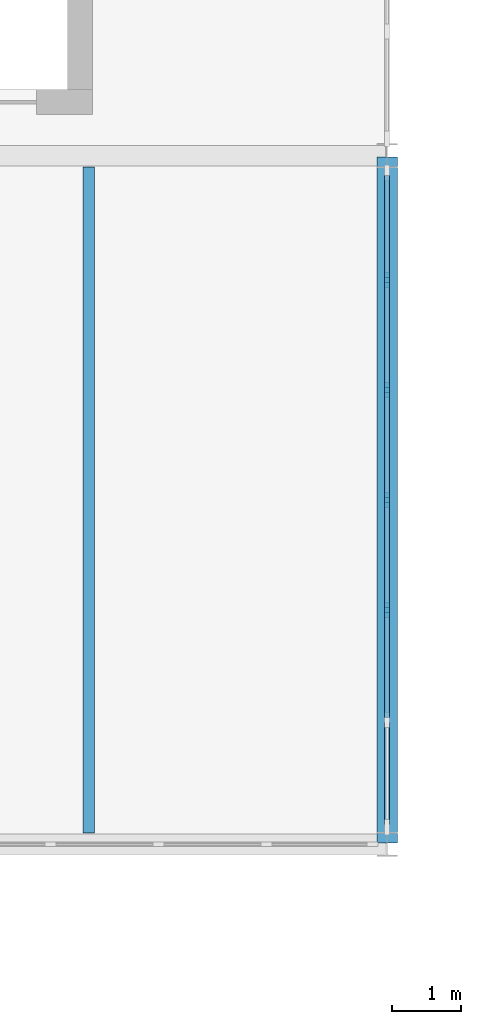
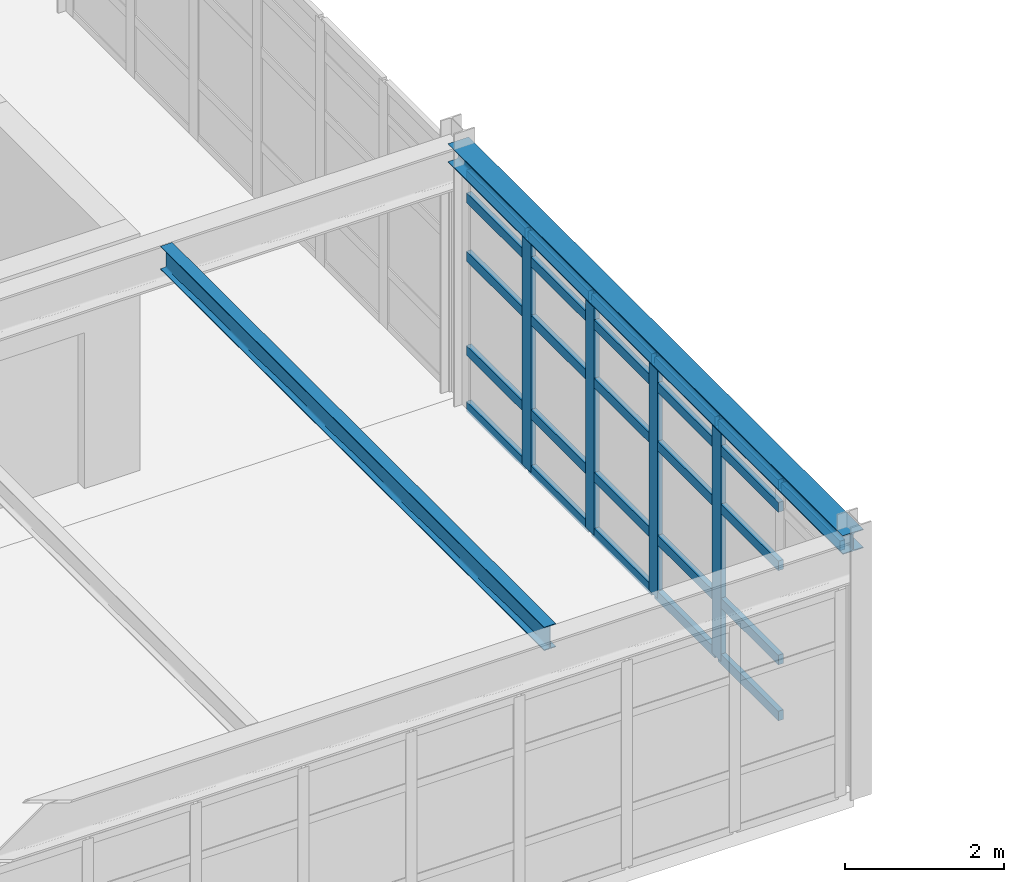
# One storey, part 39 of 122: 30 members, 2 beams, 1 element without a shape of its own.
"""IFC4 building model written with IfcOpenShell, lengths in metres."""

from ifc_helpers import new_model, si_unit, direction, frame, origin, origin_2d, place, context, subcontext, project, spatial, rectangle, i_section, extrude, material, layer, layer_set, material_profile, profile_set, type_object, element, aggregate, save


model = new_model("IFC4")

# Units and contexts
model_context = context("Model", 3, precision=1e-05, world=origin(), true_north=direction((0.0, 1.0)))
body_context = subcontext(model_context, "Body", "Model", "MODEL_VIEW")
ifc_project = project(units=[si_unit("LENGTHUNIT", "METRE"), si_unit("AREAUNIT", "SQUARE_METRE"), si_unit("VOLUMEUNIT", "CUBIC_METRE"), si_unit("PLANEANGLEUNIT", "RADIAN"), si_unit("MASSUNIT", "GRAM", prefix="KILO"), si_unit("THERMODYNAMICTEMPERATUREUNIT", "KELVIN"), si_unit("POWERUNIT", "WATT")], contexts=[model_context])

# Site, building, storey
site_placement = place(None, origin())
site = spatial("IfcSite", under=ifc_project, at=site_placement, CompositionType="ELEMENT")
building_placement = place(site_placement, origin())
building = spatial("IfcBuilding", under=site, at=building_placement, Name="Korenveer Ferry Terminal", CompositionType="ELEMENT")
storey_placement = place(building_placement, frame((0.0, 0.0, 10.199951171875)))
storey = spatial("IfcBuildingStorey", under=building, at=storey_placement, Name="L02", CompositionType="ELEMENT", Elevation=10.199951171875)

# Curtain wall, members
ifc_material_1 = material(Name="Unitised bronze-and-glass curtain wall", Category="glass")
ifc_layer = layer(ifc_material_1, 0.219970703125)
ifc_layer_set = layer_set([ifc_layer], Name="Unitised bronze-and-glass curtain wall")
curtain_wall_type = type_object("IfcCurtainWallType", Name="ENV-CW-116", PredefinedType="USERDEFINED", material=ifc_layer_set)
curtain_wall_placement = place(storey_placement, frame((53.0, 79.7900390625, 0.0)))
curtain_wall = element("IfcCurtainWall", 1, at=curtain_wall_placement, inside=storey, type_object=curtain_wall_type, Name="Lancet curtain wall CWX-L02-X53-53-Y70-80", ObjectType="UNITISED CURTAIN WALL", PredefinedType="USERDEFINED")
ifc_material_2 = material(Name="Anodised bronze aluminium", Category="aluminium")
ifc_material_profile_1 = material_profile(ifc_material_2, rectangle(XDim=0.074951171875, YDim=0.219970703125, at=origin_2d()), Name="ALU 75x220")
ifc_profile_set_1 = profile_set([ifc_material_profile_1], Name="Anodised bronze aluminium")
member_type_1 = type_object("IfcMemberType", Name="ENV-CWM-75X220", PredefinedType="MULLION", material=ifc_profile_set_1)
member_1_placement = place(storey_placement, frame((53.0, 78.193359375, 0.0), z_axis=(0.0, 0.0, 1.0), x_axis=(1.0, 0.0, 0.0)))
member_1 = element("IfcMember", 2, at=member_1_placement, type_object=member_type_1, Name="CW-116 mullion 2", PredefinedType="MULLION", context=body_context, shape_type="SweptSolid", body=[
    extrude(rectangle(XDim=0.074951171875, YDim=0.219970703125, at=origin_2d()), origin(), (0.0, 0.0, 1.0), 3.64013671875),
])
member_2_placement = place(storey_placement, frame((53.0, 76.5966796875, 0.0), z_axis=(0.0, 0.0, 1.0), x_axis=(1.0, 0.0, 0.0)))
member_2 = element("IfcMember", 3, at=member_2_placement, type_object=member_type_1, Name="CW-116 mullion 3", PredefinedType="MULLION", context=body_context, shape_type="SweptSolid", body=[
    extrude(rectangle(XDim=0.074951171875, YDim=0.219970703125, at=origin_2d()), origin(), (0.0, 0.0, 1.0), 3.64013671875),
])
member_3_placement = place(storey_placement, frame((53.0, 75.0, 0.0), z_axis=(0.0, 0.0, 1.0), x_axis=(1.0, 0.0, 0.0)))
member_3 = element("IfcMember", 4, at=member_3_placement, type_object=member_type_1, Name="CW-116 mullion 4", PredefinedType="MULLION", context=body_context, shape_type="SweptSolid", body=[
    extrude(rectangle(XDim=0.074951171875, YDim=0.219970703125, at=origin_2d()), origin(), (0.0, 0.0, 1.0), 3.64013671875),
])
member_4_placement = place(storey_placement, frame((53.0, 73.4033203125, 0.0), z_axis=(0.0, 0.0, 1.0), x_axis=(1.0, 0.0, 0.0)))
member_4 = element("IfcMember", 5, at=member_4_placement, type_object=member_type_1, Name="CW-116 mullion 5", PredefinedType="MULLION", context=body_context, shape_type="SweptSolid", body=[
    extrude(rectangle(XDim=0.074951171875, YDim=0.219970703125, at=origin_2d()), origin(), (0.0, 0.0, 1.0), 3.64013671875),
])
ifc_material_profile_2 = material_profile(ifc_material_2, rectangle(XDim=0.074951171875, YDim=0.14990234375, at=origin_2d()), Name="ALU 75x150")
ifc_profile_set_2 = profile_set([ifc_material_profile_2], Name="Anodised bronze aluminium")
member_type_2 = type_object("IfcMemberType", Name="ENV-CWT-75X150", PredefinedType="USERDEFINED", material=ifc_profile_set_2)
member_5_placement = place(storey_placement, frame((53.0, 79.715087890625, 0.03759765625), z_axis=(0.0, -1.0, 0.0), x_axis=(1.0, 0.0, 0.0)))
member_5 = element("IfcMember", 6, at=member_5_placement, type_object=member_type_2, Name="CW-116 transom 1.1", ObjectType="TRANSOM", PredefinedType="USERDEFINED", context=body_context, shape_type="SweptSolid", body=[
    extrude(rectangle(XDim=0.074951171875, YDim=0.14990234375, at=origin_2d()), origin(), (0.0, 0.0, 1.0), 1.484375),
])
member_6_placement = place(storey_placement, frame((53.0, 79.715087890625, 0.900146484375), z_axis=(0.0, -1.0, 0.0), x_axis=(1.0, 0.0, 0.0)))
member_6 = element("IfcMember", 7, at=member_6_placement, type_object=member_type_2, Name="CW-116 transom 1.2", ObjectType="TRANSOM", PredefinedType="USERDEFINED", context=body_context, shape_type="SweptSolid", body=[
    extrude(rectangle(XDim=0.074951171875, YDim=0.14990234375, at=origin_2d()), origin(), (0.0, 0.0, 1.0), 1.484375),
])
member_7_placement = place(storey_placement, frame((53.0, 79.715087890625, 2.35009765625), z_axis=(0.0, -1.0, 0.0), x_axis=(1.0, 0.0, 0.0)))
member_7 = element("IfcMember", 8, at=member_7_placement, type_object=member_type_2, Name="CW-116 transom 1.3", ObjectType="TRANSOM", PredefinedType="USERDEFINED", context=body_context, shape_type="SweptSolid", body=[
    extrude(rectangle(XDim=0.074951171875, YDim=0.14990234375, at=origin_2d()), origin(), (0.0, 0.0, 1.0), 1.484375),
])
member_8_placement = place(storey_placement, frame((53.0, 79.715087890625, 3.25), z_axis=(0.0, -1.0, 0.0), x_axis=(1.0, 0.0, 0.0)))
member_8 = element("IfcMember", 9, at=member_8_placement, type_object=member_type_2, Name="CW-116 transom 1.4", ObjectType="TRANSOM", PredefinedType="USERDEFINED", context=body_context, shape_type="SweptSolid", body=[
    extrude(rectangle(XDim=0.074951171875, YDim=0.14990234375, at=origin_2d()), origin(), (0.0, 0.0, 1.0), 1.484375),
])
member_9_placement = place(storey_placement, frame((53.0, 79.715087890625, 3.6025390625), z_axis=(0.0, -1.0, 0.0), x_axis=(1.0, 0.0, 0.0)))
member_9 = element("IfcMember", 10, at=member_9_placement, type_object=member_type_2, Name="CW-116 transom 1.5", ObjectType="TRANSOM", PredefinedType="USERDEFINED", context=body_context, shape_type="SweptSolid", body=[
    extrude(rectangle(XDim=0.074951171875, YDim=0.14990234375, at=origin_2d()), origin(), (0.0, 0.0, 1.0), 1.484375),
])
member_10_placement = place(storey_placement, frame((53.0, 78.15576171875, 0.03759765625), z_axis=(0.0, -1.0, 0.0), x_axis=(1.0, 0.0, 0.0)))
member_10 = element("IfcMember", 11, at=member_10_placement, type_object=member_type_2, Name="CW-116 transom 2.1", ObjectType="TRANSOM", PredefinedType="USERDEFINED", context=body_context, shape_type="SweptSolid", body=[
    extrude(rectangle(XDim=0.074951171875, YDim=0.14990234375, at=origin_2d()), origin(), (0.0, 0.0, 1.0), 1.521484375),
])
member_11_placement = place(storey_placement, frame((53.0, 78.15576171875, 0.900146484375), z_axis=(0.0, -1.0, 0.0), x_axis=(1.0, 0.0, 0.0)))
member_11 = element("IfcMember", 12, at=member_11_placement, type_object=member_type_2, Name="CW-116 transom 2.2", ObjectType="TRANSOM", PredefinedType="USERDEFINED", context=body_context, shape_type="SweptSolid", body=[
    extrude(rectangle(XDim=0.074951171875, YDim=0.14990234375, at=origin_2d()), origin(), (0.0, 0.0, 1.0), 1.521484375),
])
member_12_placement = place(storey_placement, frame((53.0, 78.15576171875, 2.35009765625), z_axis=(0.0, -1.0, 0.0), x_axis=(1.0, 0.0, 0.0)))
member_12 = element("IfcMember", 13, at=member_12_placement, type_object=member_type_2, Name="CW-116 transom 2.3", ObjectType="TRANSOM", PredefinedType="USERDEFINED", context=body_context, shape_type="SweptSolid", body=[
    extrude(rectangle(XDim=0.074951171875, YDim=0.14990234375, at=origin_2d()), origin(), (0.0, 0.0, 1.0), 1.521484375),
])
member_13_placement = place(storey_placement, frame((53.0, 78.15576171875, 3.25), z_axis=(0.0, -1.0, 0.0), x_axis=(1.0, 0.0, 0.0)))
member_13 = element("IfcMember", 14, at=member_13_placement, type_object=member_type_2, Name="CW-116 transom 2.4", ObjectType="TRANSOM", PredefinedType="USERDEFINED", context=body_context, shape_type="SweptSolid", body=[
    extrude(rectangle(XDim=0.074951171875, YDim=0.14990234375, at=origin_2d()), origin(), (0.0, 0.0, 1.0), 1.521484375),
])
member_14_placement = place(storey_placement, frame((53.0, 78.15576171875, 3.6025390625), z_axis=(0.0, -1.0, 0.0), x_axis=(1.0, 0.0, 0.0)))
member_14 = element("IfcMember", 15, at=member_14_placement, type_object=member_type_2, Name="CW-116 transom 2.5", ObjectType="TRANSOM", PredefinedType="USERDEFINED", context=body_context, shape_type="SweptSolid", body=[
    extrude(rectangle(XDim=0.074951171875, YDim=0.14990234375, at=origin_2d()), origin(), (0.0, 0.0, 1.0), 1.521484375),
])
member_15_placement = place(storey_placement, frame((53.0, 76.55908203125, 0.03759765625), z_axis=(0.0, -1.0, 0.0), x_axis=(1.0, 0.0, 0.0)))
member_15 = element("IfcMember", 16, at=member_15_placement, type_object=member_type_2, Name="CW-116 transom 3.1", ObjectType="TRANSOM", PredefinedType="USERDEFINED", context=body_context, shape_type="SweptSolid", body=[
    extrude(rectangle(XDim=0.074951171875, YDim=0.14990234375, at=origin_2d()), origin(), (0.0, 0.0, 1.0), 1.521484375),
])
member_16_placement = place(storey_placement, frame((53.0, 76.55908203125, 0.900146484375), z_axis=(0.0, -1.0, 0.0), x_axis=(1.0, 0.0, 0.0)))
member_16 = element("IfcMember", 17, at=member_16_placement, type_object=member_type_2, Name="CW-116 transom 3.2", ObjectType="TRANSOM", PredefinedType="USERDEFINED", context=body_context, shape_type="SweptSolid", body=[
    extrude(rectangle(XDim=0.074951171875, YDim=0.14990234375, at=origin_2d()), origin(), (0.0, 0.0, 1.0), 1.521484375),
])
member_17_placement = place(storey_placement, frame((53.0, 76.55908203125, 2.35009765625), z_axis=(0.0, -1.0, 0.0), x_axis=(1.0, 0.0, 0.0)))
member_17 = element("IfcMember", 18, at=member_17_placement, type_object=member_type_2, Name="CW-116 transom 3.3", ObjectType="TRANSOM", PredefinedType="USERDEFINED", context=body_context, shape_type="SweptSolid", body=[
    extrude(rectangle(XDim=0.074951171875, YDim=0.14990234375, at=origin_2d()), origin(), (0.0, 0.0, 1.0), 1.521484375),
])
member_18_placement = place(storey_placement, frame((53.0, 76.55908203125, 3.25), z_axis=(0.0, -1.0, 0.0), x_axis=(1.0, 0.0, 0.0)))
member_18 = element("IfcMember", 19, at=member_18_placement, type_object=member_type_2, Name="CW-116 transom 3.4", ObjectType="TRANSOM", PredefinedType="USERDEFINED", context=body_context, shape_type="SweptSolid", body=[
    extrude(rectangle(XDim=0.074951171875, YDim=0.14990234375, at=origin_2d()), origin(), (0.0, 0.0, 1.0), 1.521484375),
])
member_19_placement = place(storey_placement, frame((53.0, 76.55908203125, 3.6025390625), z_axis=(0.0, -1.0, 0.0), x_axis=(1.0, 0.0, 0.0)))
member_19 = element("IfcMember", 20, at=member_19_placement, type_object=member_type_2, Name="CW-116 transom 3.5", ObjectType="TRANSOM", PredefinedType="USERDEFINED", context=body_context, shape_type="SweptSolid", body=[
    extrude(rectangle(XDim=0.074951171875, YDim=0.14990234375, at=origin_2d()), origin(), (0.0, 0.0, 1.0), 1.521484375),
])
member_20_placement = place(storey_placement, frame((53.0, 74.96240234375, 0.03759765625), z_axis=(0.0, -1.0, 0.0), x_axis=(1.0, 0.0, 0.0)))
member_20 = element("IfcMember", 21, at=member_20_placement, type_object=member_type_2, Name="CW-116 transom 4.1", ObjectType="TRANSOM", PredefinedType="USERDEFINED", context=body_context, shape_type="SweptSolid", body=[
    extrude(rectangle(XDim=0.074951171875, YDim=0.14990234375, at=origin_2d()), origin(), (0.0, 0.0, 1.0), 1.521484375),
])
member_21_placement = place(storey_placement, frame((53.0, 74.96240234375, 0.900146484375), z_axis=(0.0, -1.0, 0.0), x_axis=(1.0, 0.0, 0.0)))
member_21 = element("IfcMember", 22, at=member_21_placement, type_object=member_type_2, Name="CW-116 transom 4.2", ObjectType="TRANSOM", PredefinedType="USERDEFINED", context=body_context, shape_type="SweptSolid", body=[
    extrude(rectangle(XDim=0.074951171875, YDim=0.14990234375, at=origin_2d()), origin(), (0.0, 0.0, 1.0), 1.521484375),
])
member_22_placement = place(storey_placement, frame((53.0, 74.96240234375, 2.35009765625), z_axis=(0.0, -1.0, 0.0), x_axis=(1.0, 0.0, 0.0)))
member_22 = element("IfcMember", 23, at=member_22_placement, type_object=member_type_2, Name="CW-116 transom 4.3", ObjectType="TRANSOM", PredefinedType="USERDEFINED", context=body_context, shape_type="SweptSolid", body=[
    extrude(rectangle(XDim=0.074951171875, YDim=0.14990234375, at=origin_2d()), origin(), (0.0, 0.0, 1.0), 1.521484375),
])
member_23_placement = place(storey_placement, frame((53.0, 74.96240234375, 3.25), z_axis=(0.0, -1.0, 0.0), x_axis=(1.0, 0.0, 0.0)))
member_23 = element("IfcMember", 24, at=member_23_placement, type_object=member_type_2, Name="CW-116 transom 4.4", ObjectType="TRANSOM", PredefinedType="USERDEFINED", context=body_context, shape_type="SweptSolid", body=[
    extrude(rectangle(XDim=0.074951171875, YDim=0.14990234375, at=origin_2d()), origin(), (0.0, 0.0, 1.0), 1.521484375),
])
member_24_placement = place(storey_placement, frame((53.0, 74.96240234375, 3.6025390625), z_axis=(0.0, -1.0, 0.0), x_axis=(1.0, 0.0, 0.0)))
member_24 = element("IfcMember", 25, at=member_24_placement, type_object=member_type_2, Name="CW-116 transom 4.5", ObjectType="TRANSOM", PredefinedType="USERDEFINED", context=body_context, shape_type="SweptSolid", body=[
    extrude(rectangle(XDim=0.074951171875, YDim=0.14990234375, at=origin_2d()), origin(), (0.0, 0.0, 1.0), 1.521484375),
])
member_25_placement = place(storey_placement, frame((53.0, 73.36572265625, 0.03759765625), z_axis=(0.0, -1.0, 0.0), x_axis=(1.0, 0.0, 0.0)))
member_25 = element("IfcMember", 26, at=member_25_placement, type_object=member_type_2, Name="CW-116 transom 5.1", ObjectType="TRANSOM", PredefinedType="USERDEFINED", context=body_context, shape_type="SweptSolid", body=[
    extrude(rectangle(XDim=0.074951171875, YDim=0.14990234375, at=origin_2d()), origin(), (0.0, 0.0, 1.0), 1.521484375),
])
member_26_placement = place(storey_placement, frame((53.0, 73.36572265625, 0.900146484375), z_axis=(0.0, -1.0, 0.0), x_axis=(1.0, 0.0, 0.0)))
member_26 = element("IfcMember", 27, at=member_26_placement, type_object=member_type_2, Name="CW-116 transom 5.2", ObjectType="TRANSOM", PredefinedType="USERDEFINED", context=body_context, shape_type="SweptSolid", body=[
    extrude(rectangle(XDim=0.074951171875, YDim=0.14990234375, at=origin_2d()), origin(), (0.0, 0.0, 1.0), 1.521484375),
])
member_27_placement = place(storey_placement, frame((53.0, 73.36572265625, 2.35009765625), z_axis=(0.0, -1.0, 0.0), x_axis=(1.0, 0.0, 0.0)))
member_27 = element("IfcMember", 28, at=member_27_placement, type_object=member_type_2, Name="CW-116 transom 5.3", ObjectType="TRANSOM", PredefinedType="USERDEFINED", context=body_context, shape_type="SweptSolid", body=[
    extrude(rectangle(XDim=0.074951171875, YDim=0.14990234375, at=origin_2d()), origin(), (0.0, 0.0, 1.0), 1.521484375),
])
member_28_placement = place(storey_placement, frame((53.0, 73.36572265625, 3.25), z_axis=(0.0, -1.0, 0.0), x_axis=(1.0, 0.0, 0.0)))
member_28 = element("IfcMember", 29, at=member_28_placement, type_object=member_type_2, Name="CW-116 transom 5.4", ObjectType="TRANSOM", PredefinedType="USERDEFINED", context=body_context, shape_type="SweptSolid", body=[
    extrude(rectangle(XDim=0.074951171875, YDim=0.14990234375, at=origin_2d()), origin(), (0.0, 0.0, 1.0), 1.521484375),
])
member_29_placement = place(storey_placement, frame((53.0, 73.36572265625, 3.6025390625), z_axis=(0.0, -1.0, 0.0), x_axis=(1.0, 0.0, 0.0)))
member_29 = element("IfcMember", 30, at=member_29_placement, type_object=member_type_2, Name="CW-116 transom 5.5", ObjectType="TRANSOM", PredefinedType="USERDEFINED", context=body_context, shape_type="SweptSolid", body=[
    extrude(rectangle(XDim=0.074951171875, YDim=0.14990234375, at=origin_2d()), origin(), (0.0, 0.0, 1.0), 1.521484375),
])
member_30_placement = place(storey_placement, frame((53.0, 71.769287109375, 3.6025390625), z_axis=(0.0, -1.0, 0.0), x_axis=(1.0, 0.0, 0.0)))
member_30 = element("IfcMember", 31, at=member_30_placement, type_object=member_type_2, Name="CW-116 transom 6.5", ObjectType="TRANSOM", PredefinedType="USERDEFINED", context=body_context, shape_type="SweptSolid", body=[
    extrude(rectangle(XDim=0.074951171875, YDim=0.14990234375, at=origin_2d()), origin(), (0.0, 0.0, 1.0), 1.484375),
])
aggregate(curtain_wall, [member_1, member_2, member_3, member_4, member_5, member_6, member_7, member_8, member_9, member_10, member_11, member_12, member_13, member_14, member_15, member_16, member_17, member_18, member_19, member_20, member_21, member_22, member_23, member_24, member_25, member_26, member_27, member_28, member_29, member_30])

# Beams
ifc_material_3 = material(Name="Steel S355", Category="steel")
ifc_material_profile_3 = material_profile(ifc_material_3, i_section(OverallWidth=0.300048828125, OverallDepth=0.2900390625, WebThickness=0.008544921875, FlangeThickness=0.013916015625, FilletRadius=0.027099609375, at=origin_2d()), Name="HEA 300")
ifc_profile_set_3 = profile_set([ifc_material_profile_3], Name="Steel S355")
beam_type_1 = type_object("IfcBeamType", Name="STR-BM-HEA300", PredefinedType="BEAM", material=ifc_profile_set_3)
beam_1_placement = place(storey_placement, frame((53.0, 70.02001953125, 3.81494140625), z_axis=(0.0, 1.0, 0.0), x_axis=(-1.0, 0.0, 0.0)))
element("IfcBeam", 32, at=beam_1_placement, inside=storey, type_object=beam_type_1, Name="Primary Y girder BMY-L03-X53-Y70-80", PredefinedType="BEAM", context=body_context, shape_type="SweptSolid", body=[
    extrude(i_section(OverallWidth=0.300048828125, OverallDepth=0.2900390625, WebThickness=0.008544921875, FlangeThickness=0.013916015625, FilletRadius=0.027099609375, at=origin_2d()), origin(), (0.0, 0.0, 1.0), 9.9599609375),
])
ifc_material_profile_4 = material_profile(ifc_material_3, i_section(OverallWidth=0.169921875, OverallDepth=0.360107421875, WebThickness=0.008056640625, FlangeThickness=0.0126953125, FilletRadius=0.01806640625, at=origin_2d()), Name="IPE 360")
ifc_profile_set_4 = profile_set([ifc_material_profile_4], Name="Steel S355")
beam_type_2 = type_object("IfcBeamType", Name="STR-JST-IPE360", PredefinedType="JOIST", material=ifc_profile_set_4)
beam_2_placement = place(storey_placement, frame((48.666748046875, 70.159912109375, 3.780029296875), z_axis=(0.0, 1.0, 0.0), x_axis=(-1.0, 0.0, 0.0)))
element("IfcBeam", 33, at=beam_2_placement, inside=storey, type_object=beam_type_2, Name="Secondary composite joist JST-L03-X487-Y70-80", PredefinedType="JOIST", context=body_context, shape_type="SweptSolid", body=[
    extrude(i_section(OverallWidth=0.169921875, OverallDepth=0.360107421875, WebThickness=0.008056640625, FlangeThickness=0.0126953125, FilletRadius=0.01806640625, at=origin_2d()), origin(), (0.0, 0.0, 1.0), 9.68017578125),
])

save(model, "model.ifc")
